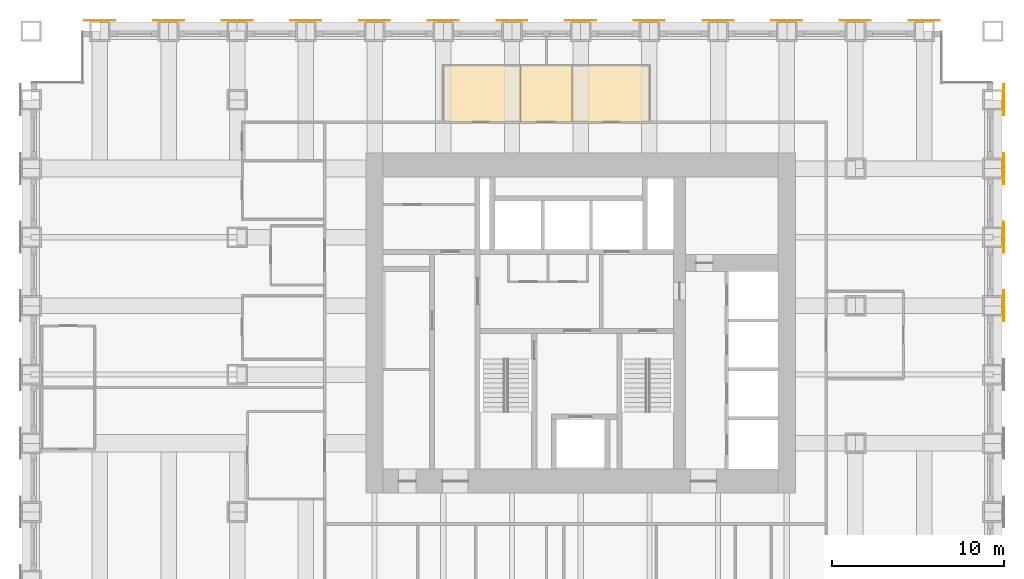
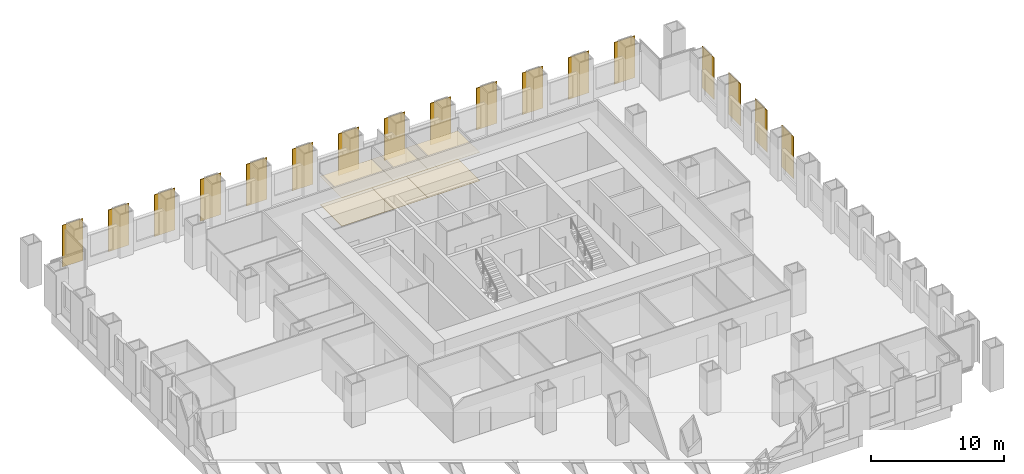
# One storey, part 15 of 15: 17 shading devices, 6 coverings.
"""IFC4 building model written with IfcOpenShell, lengths in metres."""

from ifc_helpers import new_model, si_unit, direction, frame, origin, origin_2d, place, context, subcontext, project, spatial, polyline, rectangle, outline, extrude, material, layer, layer_set, type_object, element, save


model = new_model("IFC4")

# Units and contexts
model_context = context("Model", 3, precision=1e-05, world=origin(), true_north=direction((0.0, 1.0)))
body_context = subcontext(model_context, "Body", "Model", "MODEL_VIEW")
ifc_project = project(units=[si_unit("LENGTHUNIT", "METRE"), si_unit("AREAUNIT", "SQUARE_METRE"), si_unit("VOLUMEUNIT", "CUBIC_METRE"), si_unit("PLANEANGLEUNIT", "RADIAN"), si_unit("MASSUNIT", "GRAM", prefix="KILO")], contexts=[model_context])

# Site, building, storey
site_placement = place(None, origin())
site = spatial("IfcSite", under=ifc_project, at=site_placement, CompositionType="ELEMENT")
building_placement = place(site_placement, origin())
building = spatial("IfcBuilding", under=site, at=building_placement, Name="Rimbunsela Tower", CompositionType="ELEMENT")
storey_placement = place(building_placement, frame((0.0, 0.0, 27.0)))
storey = spatial("IfcBuildingStorey", under=building, at=storey_placement, Name="L06", CompositionType="ELEMENT", Elevation=27.0)

# Coverings
ifc_material_1 = material(Name="Moisture-resistant plasterboard ceiling", Category="gypsum")
ifc_layer_1 = layer(ifc_material_1, 0.012451171875)
ifc_layer_set_1 = layer_set([ifc_layer_1], Name="Ceiling moisture-resistant board")
covering_type_1 = type_object("IfcCoveringType", Name="Ceiling moisture-resistant board", PredefinedType="CEILING", material=ifc_layer_set_1)
covering_1_placement = place(storey_placement, frame((0.0, 0.0, 2.60009765625)))
element("IfcCovering", 1, at=covering_1_placement, inside=storey, type_object=covering_type_1, Name="Ceiling Female WC", PredefinedType="CEILING", context=body_context, shape_type="SweptSolid", body=[
    extrude(outline(polyline([(26.5, 38.699951171875), (26.5, 42.0), (22.0, 42.0), (22.0, 38.699951171875), (26.5, 38.699951171875)])), origin(), (0.0, 0.0, 1.0), 0.02001953125),
])
covering_2_placement = place(storey_placement, frame((0.0, 0.0, 2.60009765625)))
element("IfcCovering", 2, at=covering_2_placement, inside=storey, type_object=covering_type_1, Name="Ceiling Accessible WC", PredefinedType="CEILING", context=body_context, shape_type="SweptSolid", body=[
    extrude(outline(polyline([(29.5, 38.699951171875), (29.5, 42.0), (26.5, 42.0), (26.5, 38.699951171875), (29.5, 38.699951171875)])), origin(), (0.0, 0.0, 1.0), 0.02001953125),
])
covering_3_placement = place(storey_placement, frame((0.0, 0.0, 2.60009765625)))
element("IfcCovering", 3, at=covering_3_placement, inside=storey, type_object=covering_type_1, Name="Ceiling Male WC", PredefinedType="CEILING", context=body_context, shape_type="SweptSolid", body=[
    extrude(outline(polyline([(34.0, 38.699951171875), (34.0, 42.0), (29.5, 42.0), (29.5, 38.699951171875), (34.0, 38.699951171875)])), origin(), (0.0, 0.0, 1.0), 0.02001953125),
])
ifc_material_2 = material(Name="Porcelain floor tile in adhesive bed", Category="ceramic")
ifc_layer_2 = layer(ifc_material_2, 0.02001953125)
ifc_layer_set_2 = layer_set([ifc_layer_2], Name="Porcelain tile 20")
covering_type_2 = type_object("IfcCoveringType", Name="Porcelain tile 20", PredefinedType="FLOORING", material=ifc_layer_set_2)
covering_4_placement = place(storey_placement, origin())
element("IfcCovering", 4, at=covering_4_placement, inside=storey, type_object=covering_type_2, Name="Floor finish Female WC", PredefinedType="FLOORING", context=body_context, shape_type="SweptSolid", body=[
    extrude(outline(polyline([(26.5, 38.699951171875), (26.5, 42.0), (22.0, 42.0), (22.0, 38.699951171875), (26.5, 38.699951171875)])), origin(), (0.0, 0.0, 1.0), 0.02001953125),
])
covering_5_placement = place(storey_placement, origin())
element("IfcCovering", 5, at=covering_5_placement, inside=storey, type_object=covering_type_2, Name="Floor finish Accessible WC", PredefinedType="FLOORING", context=body_context, shape_type="SweptSolid", body=[
    extrude(outline(polyline([(29.5, 38.699951171875), (29.5, 42.0), (26.5, 42.0), (26.5, 38.699951171875), (29.5, 38.699951171875)])), origin(), (0.0, 0.0, 1.0), 0.02001953125),
])
covering_6_placement = place(storey_placement, origin())
element("IfcCovering", 6, at=covering_6_placement, inside=storey, type_object=covering_type_2, Name="Floor finish Male WC", PredefinedType="FLOORING", context=body_context, shape_type="SweptSolid", body=[
    extrude(outline(polyline([(34.0, 38.699951171875), (34.0, 42.0), (29.5, 42.0), (29.5, 38.699951171875), (34.0, 38.699951171875)])), origin(), (0.0, 0.0, 1.0), 0.02001953125),
])

# Shading devices
ifc_material_3 = material(Name="Perforated aluminium, 35 % open area", Category="aluminium")
ifc_layer_3 = layer(ifc_material_3, 0.050048828125)
ifc_layer_set_3 = layer_set([ifc_layer_3], Name="Solar screen panel 1800")
shading_device_type = type_object("IfcShadingDeviceType", Name="Solar screen panel 1800", PredefinedType="USERDEFINED", material=ifc_layer_set_3)
for number, where, z_axis, x_axis, name in (
    (7, (54.625, 28.0, 0.0), (0.0, 0.0, 1.0), (0.0, 1.0, 0.0), "Solar screen E L06"),
    (8, (54.625, 32.0, 0.0), (0.0, 0.0, 1.0), (0.0, 1.0, 0.0), "Solar screen E L06"),
    (9, (54.625, 36.0, 0.0), (0.0, 0.0, 1.0), (0.0, 1.0, 0.0), "Solar screen E L06"),
    (10, (54.625, 40.0, 0.0), (0.0, 0.0, 1.0), (0.0, 1.0, 0.0), "Solar screen E L06"),
    (11, (2.0, 44.625, 0.0), (0.0, 0.0, 1.0), (1.0, 0.0, 0.0), "Solar screen N L06"),
    (12, (6.0, 44.625, 0.0), (0.0, 0.0, 1.0), (1.0, 0.0, 0.0), "Solar screen N L06"),
    (13, (10.0, 44.625, 0.0), (0.0, 0.0, 1.0), (1.0, 0.0, 0.0), "Solar screen N L06"),
    (14, (14.0, 44.625, 0.0), (0.0, 0.0, 1.0), (1.0, 0.0, 0.0), "Solar screen N L06"),
    (15, (18.0, 44.625, 0.0), (0.0, 0.0, 1.0), (1.0, 0.0, 0.0), "Solar screen N L06"),
    (16, (22.0, 44.625, 0.0), (0.0, 0.0, 1.0), (1.0, 0.0, 0.0), "Solar screen N L06"),
    (17, (26.0, 44.625, 0.0), (0.0, 0.0, 1.0), (1.0, 0.0, 0.0), "Solar screen N L06"),
    (18, (30.0, 44.625, 0.0), (0.0, 0.0, 1.0), (1.0, 0.0, 0.0), "Solar screen N L06"),
    (19, (34.0, 44.625, 0.0), (0.0, 0.0, 1.0), (1.0, 0.0, 0.0), "Solar screen N L06"),
    (20, (38.0, 44.625, 0.0), (0.0, 0.0, 1.0), (1.0, 0.0, 0.0), "Solar screen N L06"),
    (21, (42.0, 44.625, 0.0), (0.0, 0.0, 1.0), (1.0, 0.0, 0.0), "Solar screen N L06"),
    (22, (46.0, 44.625, 0.0), (0.0, 0.0, 1.0), (1.0, 0.0, 0.0), "Solar screen N L06"),
    (23, (50.0, 44.625, 0.0), (0.0, 0.0, 1.0), (1.0, 0.0, 0.0), "Solar screen N L06"),
):
    element("IfcShadingDevice", number, at=place(storey_placement, frame(where, z_axis=z_axis, x_axis=x_axis)), inside=storey, type_object=shading_device_type, Name=name, ObjectType="SCREEN", PredefinedType="USERDEFINED", context=body_context, shape_type="SweptSolid", body=[
        extrude(rectangle(XDim=1.800048828125, YDim=0.050048828125, at=origin_2d()), origin(), (0.0, 0.0, 1.0), 3.85009765625),
    ])

save(model, "model.ifc")
